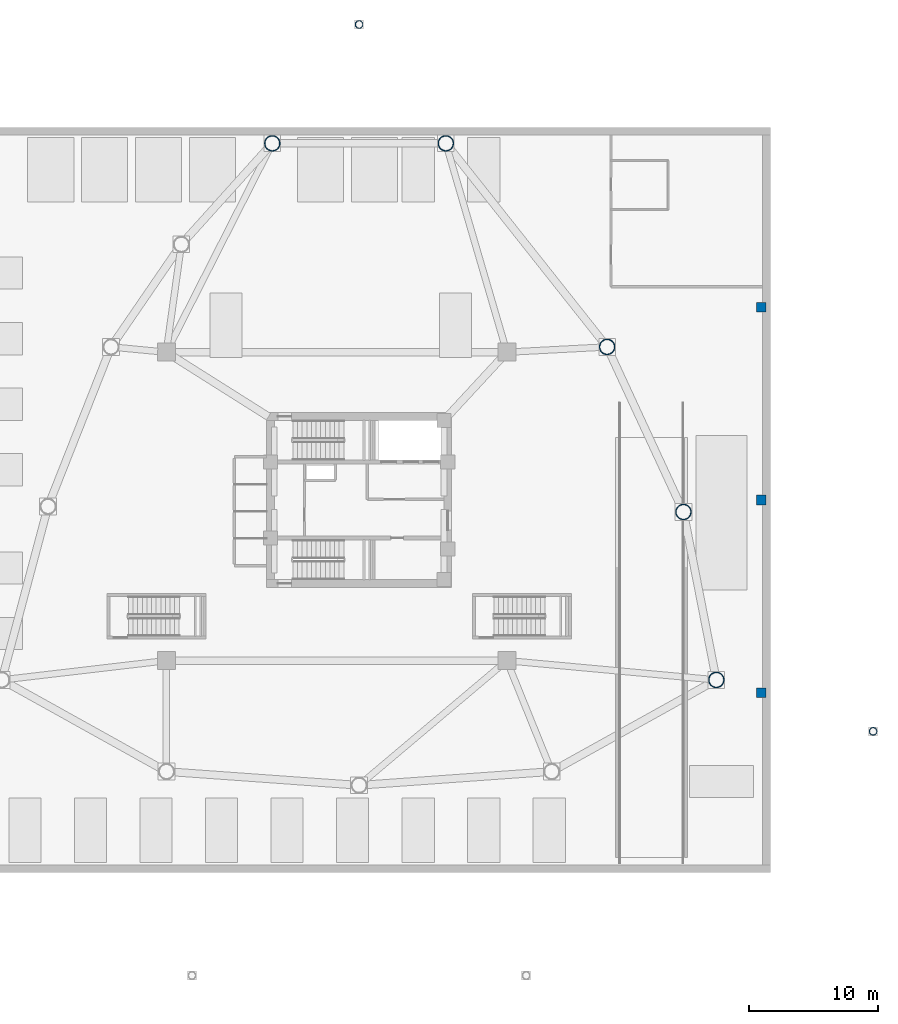
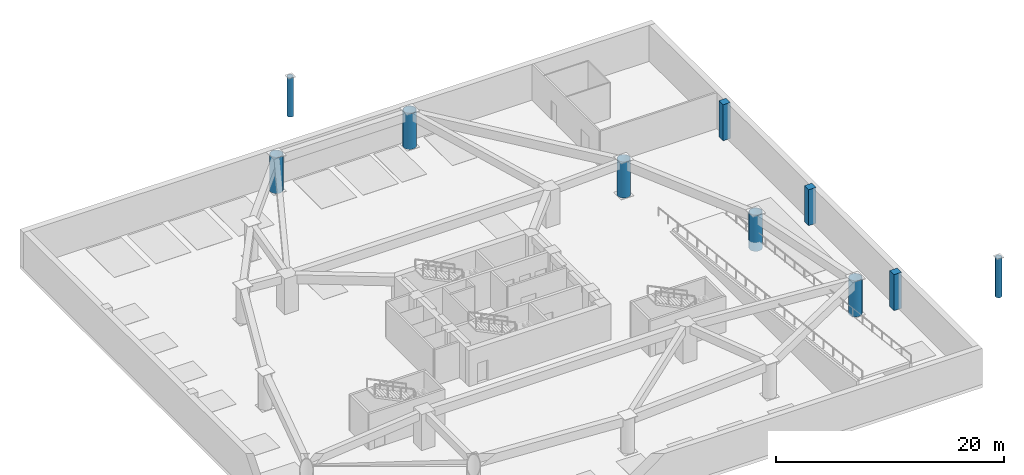
# One storey, part 2 of 9: 10 columns.
"""IFC4 building model written with IfcOpenShell, lengths in metres."""

from ifc_helpers import new_model, si_unit, direction, frame, origin, origin_2d, place, context, subcontext, project, spatial, rectangle, hollow_circle, extrude, material, material_profile, profile_set, type_object, element, save


model = new_model("IFC4")

# Units and contexts
model_context = context("Model", 3, precision=1e-05, world=origin(), true_north=direction((0.0, 1.0)))
body_context = subcontext(model_context, "Body", "Model", "MODEL_VIEW")
ifc_project = project(units=[si_unit("LENGTHUNIT", "METRE"), si_unit("AREAUNIT", "SQUARE_METRE"), si_unit("VOLUMEUNIT", "CUBIC_METRE"), si_unit("PLANEANGLEUNIT", "RADIAN"), si_unit("MASSUNIT", "GRAM", prefix="KILO")], contexts=[model_context])

# Site, building, storey
site_placement = place(None, origin())
site = spatial("IfcSite", under=ifc_project, at=site_placement, CompositionType="ELEMENT")
building_placement = place(site_placement, origin())
building = spatial("IfcBuilding", under=site, at=building_placement, Name="Tavelor Broadcast Tower", CompositionType="ELEMENT")
storey_placement = place(building_placement, frame((0.0, 0.0, -4.199951171875)))
storey = spatial("IfcBuildingStorey", under=building, at=storey_placement, Name="B01", CompositionType="ELEMENT", Elevation=-4.199951171875)

# Columns
ifc_material_1 = material(Name="Concrete C40/50", Category="concrete")
ifc_material_profile_1 = material_profile(ifc_material_1, rectangle(XDim=0.75, YDim=0.75, at=origin_2d()), Name="RC 750x750")
ifc_profile_set_1 = profile_set([ifc_material_profile_1], Name="Concrete C40/50")
column_type_1 = type_object("IfcColumnType", Name="Basement Retaining Pilaster RC750", PredefinedType="PILASTER", material=ifc_profile_set_1)
for number, where, z_axis, x_axis, name in (
    (1, (81.300048828125, 30.0, 0.0), (0.0, 0.0, 1.0), (1.0, 0.0, 0.0), "B01 Retaining Wall Pilaster 4"),
    (2, (81.300048828125, 45.0, 0.0), (0.0, 0.0, 1.0), (1.0, 0.0, 0.0), "B01 Retaining Wall Pilaster 5"),
    (3, (81.300048828125, 60.0, 0.0), (0.0, 0.0, 1.0), (1.0, 0.0, 0.0), "B01 Retaining Wall Pilaster 6"),
):
    element("IfcColumn", number, at=place(storey_placement, frame(where, z_axis=z_axis, x_axis=x_axis)), inside=storey, type_object=column_type_1, Name=name, PredefinedType="PILASTER", context=body_context, shape_type="SweptSolid", body=[
        extrude(rectangle(XDim=0.75, YDim=0.75, at=origin_2d()), origin(), (0.0, 0.0, 1.0), 3.849853515625),
    ])
ifc_material_2 = material(Name="Steel S355", Category="steel")
ifc_material_profile_2 = material_profile(ifc_material_2, hollow_circle(Radius=0.304931640625, WallThickness=0.028076171875, at=origin_2d()), Name="CHS 610x28")
ifc_profile_set_2 = profile_set([ifc_material_profile_2], Name="Steel S355")
column_type_2 = type_object("IfcColumnType", Name="Plaza Canopy Mega Column CHS610", PredefinedType="COLUMN", material=ifc_profile_set_2)
for number, where, z_axis, x_axis, name in (
    (4, (50.0, 82.0, 0.0), (0.0, 0.0, 1.0), (1.0, 0.0, 0.0), "B01 Entrance Portal Foundation Column 1"),
    (5, (90.0, 27.0, 0.0), (0.0, 0.0, 1.0), (1.0, 0.0, 0.0), "B01 Entrance Portal Foundation Column 3"),
):
    element("IfcColumn", number, at=place(storey_placement, frame(where, z_axis=z_axis, x_axis=x_axis)), inside=storey, type_object=column_type_2, Name=name, PredefinedType="COLUMN", context=body_context, shape_type="SweptSolid", body=[
        extrude(hollow_circle(Radius=0.304931640625, WallThickness=0.028076171875, at=origin_2d()), origin(), (0.0, 0.0, 1.0), 4.199951171875),
    ])
ifc_material_3 = material(Name="Steel S460", Category="steel")
ifc_material_profile_3 = material_profile(ifc_material_3, hollow_circle(Radius=0.609619140625, WallThickness=0.050048828125, at=origin_2d()), Name="CHS 1219x50")
ifc_profile_set_3 = profile_set([ifc_material_profile_3], Name="Steel S460")
column_type_3 = type_object("IfcColumnType", Name="Podium Perimeter Mega Column CHS1219", PredefinedType="COLUMN", material=ifc_profile_set_3)
for number, where, z_axis, x_axis, name in (
    (6, (43.247314453125, 72.7509765625, 0.0), (0.0, 0.0, 1.0), (1.0, 0.0, 0.0), "B01 Outer Mega Column 1"),
    (7, (77.800048828125, 31.0, 0.0), (0.0, 0.0, 1.0), (1.0, 0.0, 0.0), "B01 Outer Mega Column 9"),
    (8, (75.2412109375, 44.070068359375, 0.0), (0.0, 0.0, 1.0), (1.0, 0.0, 0.0), "B01 Outer Mega Column 10"),
    (9, (69.30078125, 56.9111328125, 0.0), (0.0, 0.0, 1.0), (1.0, 0.0, 0.0), "B01 Outer Mega Column 11"),
    (10, (56.752685546875, 72.7509765625, 0.0), (0.0, 0.0, 1.0), (1.0, 0.0, 0.0), "B01 Outer Mega Column 12"),
):
    element("IfcColumn", number, at=place(storey_placement, frame(where, z_axis=z_axis, x_axis=x_axis)), inside=storey, type_object=column_type_3, Name=name, PredefinedType="COLUMN", context=body_context, shape_type="SweptSolid", body=[
        extrude(hollow_circle(Radius=0.609619140625, WallThickness=0.050048828125, at=origin_2d()), origin(), (0.0, 0.0, 1.0), 3.849853515625),
    ])

save(model, "model.ifc")
